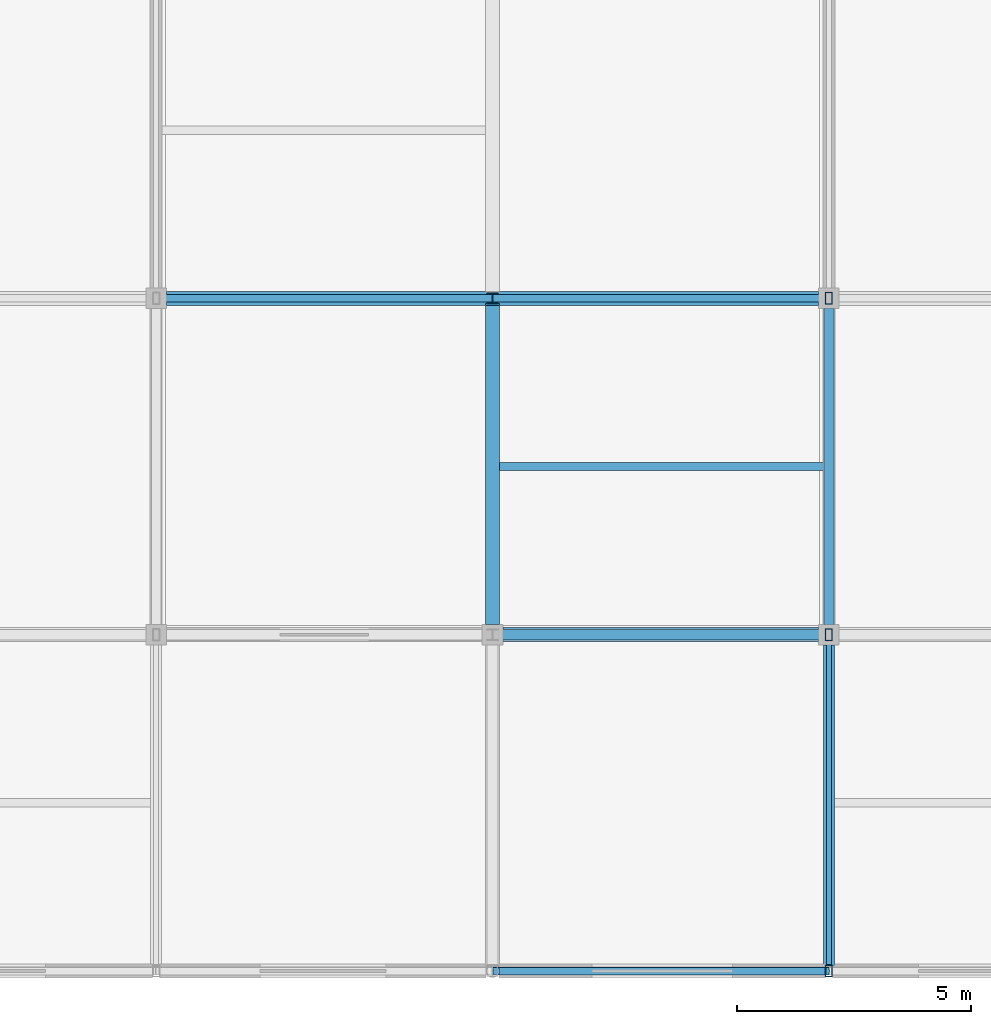
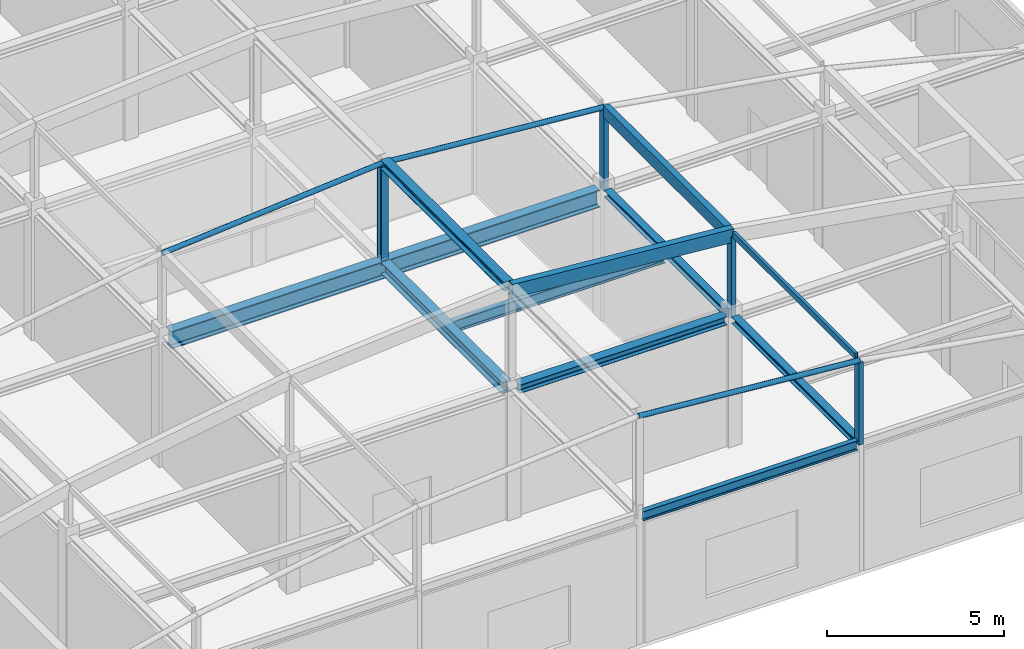
# One storey, part 8 of 23: 10 members, 8 beams.
"""IFC4 building model written with IfcOpenShell, lengths in metres."""

from ifc_helpers import new_model, si_unit, direction, frame, origin, origin_2d, place, context, subcontext, project, spatial, rectangle, hollow_rectangle, hollow_circle, i_section, extrude, material, material_profile, profile_set, type_object, element, save


model = new_model("IFC4")

# Units and contexts
model_context = context("Model", 3, precision=1e-05, world=origin(), true_north=direction((0.0, 1.0)))
body_context = subcontext(model_context, "Body", "Model", "MODEL_VIEW")
ifc_project = project(units=[si_unit("LENGTHUNIT", "METRE"), si_unit("AREAUNIT", "SQUARE_METRE"), si_unit("VOLUMEUNIT", "CUBIC_METRE"), si_unit("PLANEANGLEUNIT", "RADIAN"), si_unit("MASSUNIT", "GRAM", prefix="KILO")], contexts=[model_context])

# Site, building, storey
site_placement = place(None, origin())
site = spatial("IfcSite", under=ifc_project, at=site_placement, CompositionType="ELEMENT")
building_placement = place(site_placement, origin())
building = spatial("IfcBuilding", under=site, at=building_placement, Name="Cendaluz Park School", CompositionType="ELEMENT")
storey_placement = place(building_placement, frame((0.0, 0.0, 67.199951171875)))
storey = spatial("IfcBuildingStorey", under=building, at=storey_placement, Name="L16", CompositionType="ELEMENT", Elevation=67.199951171875)

# Beams
ifc_material_1 = material(Name="Steel S355", Category="steel")
ifc_material_profile_1 = material_profile(ifc_material_1, i_section(OverallWidth=0.300048828125, OverallDepth=0.39990234375, WebThickness=0.013916015625, FlangeThickness=0.02392578125, FilletRadius=0.027099609375, at=origin_2d()), Name="HEB 400", Category="steel")
ifc_profile_set_1 = profile_set([ifc_material_profile_1], Name="Steel S355")
beam_type_1 = type_object("IfcBeamType", Name="BM-ST02", PredefinedType="BEAM", material=ifc_profile_set_1)
beam_1_placement = place(storey_placement, frame((86.39990234375, 21.820068359375, 4.2900390625), z_axis=(0.0, 1.0, 0.0), x_axis=(-1.0, 0.0, 0.0)))
element("IfcBeam", 1, at=beam_1_placement, inside=storey, type_object=beam_type_1, Name="BM-L16-BMST02-0078", PredefinedType="BEAM", context=body_context, shape_type="SweptSolid", body=[
    extrude(i_section(OverallWidth=0.300048828125, OverallDepth=0.39990234375, WebThickness=0.013916015625, FlangeThickness=0.02392578125, FilletRadius=0.027099609375, at=origin_2d()), origin(), (0.0, 0.0, 1.0), 6.829833984375),
])
ifc_material_profile_2 = material_profile(ifc_material_1, i_section(OverallWidth=0.300048828125, OverallDepth=0.300048828125, WebThickness=0.010986328125, FlangeThickness=0.01904296875, FilletRadius=0.027099609375, at=origin_2d()), Name="HEB 300", Category="steel")
ifc_profile_set_2 = profile_set([ifc_material_profile_2], Name="Steel S355")
beam_type_2 = type_object("IfcBeamType", Name="BM-ST03", PredefinedType="BEAM", material=ifc_profile_set_2)
beam_2_placement = place(storey_placement, frame((86.39990234375, 21.7099609375, 7.85009765625), z_axis=(0.0, 1.0, 0.0), x_axis=(-1.0, 0.0, 0.0)))
element("IfcBeam", 2, at=beam_2_placement, inside=storey, type_object=beam_type_2, Name="BM-L16-BMST03-0090", PredefinedType="BEAM", context=body_context, shape_type="SweptSolid", body=[
    extrude(i_section(OverallWidth=0.300048828125, OverallDepth=0.300048828125, WebThickness=0.010986328125, FlangeThickness=0.01904296875, FilletRadius=0.027099609375, at=origin_2d()), origin(), (0.0, 0.0, 1.0), 6.97998046875),
])
ifc_material_profile_3 = material_profile(ifc_material_1, i_section(OverallWidth=0.300048828125, OverallDepth=0.2900390625, WebThickness=0.009033203125, FlangeThickness=0.013916015625, FilletRadius=0.027099609375, at=origin_2d()), Name="HEA 300", Category="steel")
ifc_profile_set_3 = profile_set([ifc_material_profile_3], Name="Steel S355")
beam_type_3 = type_object("IfcBeamType", Name="BM-ST05", PredefinedType="BEAM", material=ifc_profile_set_3)
beam_3_placement = place(storey_placement, frame((86.6201171875, 21.60009765625, 4.344970703125), z_axis=(1.0, 0.0, 0.0), x_axis=(0.0, 1.0, 0.0)))
element("IfcBeam", 3, at=beam_3_placement, inside=storey, type_object=beam_type_3, Name="BM-L16-BMST05-0020", PredefinedType="BEAM", context=body_context, shape_type="SweptSolid", body=[
    extrude(i_section(OverallWidth=0.300048828125, OverallDepth=0.2900390625, WebThickness=0.009033203125, FlangeThickness=0.013916015625, FilletRadius=0.027099609375, at=origin_2d()), origin(), (0.0, 0.0, 1.0), 6.759765625),
])
ifc_material_profile_4 = material_profile(ifc_material_1, i_section(OverallWidth=0.239990234375, OverallDepth=0.22998046875, WebThickness=0.008056640625, FlangeThickness=0.011962890625, FilletRadius=0.02099609375, at=origin_2d()), Name="HEA 240", Category="steel")
ifc_profile_set_4 = profile_set([ifc_material_profile_4], Name="Steel S355")
beam_type_4 = type_object("IfcBeamType", Name="BM-ST06", PredefinedType="BEAM", material=ifc_profile_set_4)
beam_4_placement = place(storey_placement, frame((93.60009765625, 14.52490234375, 4.375), z_axis=(0.0, 1.0, 0.0), x_axis=(-1.0, 0.0, 0.0)))
element("IfcBeam", 4, at=beam_4_placement, inside=storey, type_object=beam_type_4, Name="BM-L16-BMST06-0059", PredefinedType="BEAM", context=body_context, shape_type="SweptSolid", body=[
    extrude(i_section(OverallWidth=0.239990234375, OverallDepth=0.22998046875, WebThickness=0.008056640625, FlangeThickness=0.011962890625, FilletRadius=0.02099609375, at=origin_2d()), origin(), (0.0, 0.0, 1.0), 6.85498046875),
])
beam_5_placement = place(storey_placement, frame((93.60009765625, 21.820068359375, 4.375), z_axis=(0.0, 1.0, 0.0), x_axis=(-1.0, 0.0, 0.0)))
element("IfcBeam", 5, at=beam_5_placement, inside=storey, type_object=beam_type_4, Name="BM-L16-BMST06-0060", PredefinedType="BEAM", context=body_context, shape_type="SweptSolid", body=[
    extrude(i_section(OverallWidth=0.239990234375, OverallDepth=0.22998046875, WebThickness=0.008056640625, FlangeThickness=0.011962890625, FilletRadius=0.02099609375, at=origin_2d()), origin(), (0.0, 0.0, 1.0), 6.760009765625),
])
ifc_material_profile_5 = material_profile(ifc_material_1, i_section(OverallWidth=0.179931640625, OverallDepth=0.39990234375, WebThickness=0.009033203125, FlangeThickness=0.013916015625, FilletRadius=0.02099609375, at=origin_2d()), Name="IPE 400", Category="steel")
ifc_profile_set_5 = profile_set([ifc_material_profile_5], Name="Steel S355")
beam_type_5 = type_object("IfcBeamType", Name="BM-ST07", PredefinedType="BEAM", material=ifc_profile_set_5)
beam_6_placement = place(storey_placement, frame((86.550048828125, 25.199951171875, 4.2900390625), z_axis=(1.0, 0.0, 0.0), x_axis=(0.0, 1.0, 0.0)))
element("IfcBeam", 6, at=beam_6_placement, inside=storey, type_object=beam_type_5, Name="BM-L16-BMST07-0084", PredefinedType="BEAM", context=body_context, shape_type="SweptSolid", body=[
    extrude(i_section(OverallWidth=0.179931640625, OverallDepth=0.39990234375, WebThickness=0.009033203125, FlangeThickness=0.013916015625, FilletRadius=0.02099609375, at=origin_2d()), origin(), (0.0, 0.0, 1.0), 6.929931640625),
])
ifc_material_profile_6 = material_profile(ifc_material_1, i_section(OverallWidth=0.159912109375, OverallDepth=0.330078125, WebThickness=0.008056640625, FlangeThickness=0.011962890625, FilletRadius=0.01806640625, at=origin_2d()), Name="IPE 330", Category="steel")
ifc_profile_set_6 = profile_set([ifc_material_profile_6], Name="Steel S355")
beam_type_6 = type_object("IfcBeamType", Name="BM-ST08", PredefinedType="LINTEL", material=ifc_profile_set_6)
beam_7_placement = place(storey_placement, frame((86.53662109375, 14.39990234375, 4.324951171875), z_axis=(1.0, 0.0, 0.0), x_axis=(0.0, 1.0, 0.0)))
element("IfcBeam", 7, at=beam_7_placement, inside=storey, type_object=beam_type_6, Name="BM-L16-BMST08-0019", PredefinedType="LINTEL", context=body_context, shape_type="SweptSolid", body=[
    extrude(i_section(OverallWidth=0.159912109375, OverallDepth=0.330078125, WebThickness=0.008056640625, FlangeThickness=0.011962890625, FilletRadius=0.01806640625, at=origin_2d()), origin(), (0.0, 0.0, 1.0), 6.98828125),
])
ifc_material_profile_7 = material_profile(ifc_material_1, i_section(OverallWidth=0.300048828125, OverallDepth=0.60009765625, WebThickness=0.01611328125, FlangeThickness=0.030029296875, FilletRadius=0.027099609375, at=origin_2d()), Name="HEB 600", Category="steel")
ifc_profile_set_7 = profile_set([ifc_material_profile_7], Name="Steel S355")
beam_type_7 = type_object("IfcBeamType", Name="BM-ST10", PredefinedType="BEAM", material=ifc_profile_set_7)
beam_8_placement = place(storey_placement, frame((79.419921875, 28.800048828125, 4.18994140625), z_axis=(1.0, 0.0, 0.0), x_axis=(0.0, 1.0, 0.0)))
element("IfcBeam", 8, at=beam_8_placement, inside=storey, type_object=beam_type_7, Name="BM-L16-BMST10-0077", PredefinedType="BEAM", context=body_context, shape_type="SweptSolid", body=[
    extrude(i_section(OverallWidth=0.300048828125, OverallDepth=0.60009765625, WebThickness=0.01611328125, FlangeThickness=0.030029296875, FilletRadius=0.027099609375, at=origin_2d()), origin(), (0.0, 0.0, 1.0), 13.9599609375),
])

# Members
ifc_material_profile_8 = material_profile(ifc_material_1, hollow_circle(Radius=0.083984375, WallThickness=0.008056640625, at=origin_2d()), Name="CHS 168x8", Category="steel")
ifc_profile_set_8 = profile_set([ifc_material_profile_8], Name="Steel S355")
member_type_1 = type_object("IfcMemberType", Name="MB-CH02", PredefinedType="CHORD", material=ifc_profile_set_8)
member_1_placement = place(storey_placement, frame((86.39990234375, 14.39990234375, 7.780029296875), z_axis=(0.996544826035, 0.0, -0.083056665618), x_axis=(0.0, 1.0, 0.0)))
element("IfcMember", 9, at=member_1_placement, inside=storey, type_object=member_type_1, Name="MB-L16-MBCH02-0009", PredefinedType="CHORD", context=body_context, shape_type="SweptSolid", body=[
    extrude(hollow_circle(Radius=0.083984375, WallThickness=0.008056640625, at=origin_2d()), origin(), (0.0, 0.0, 1.0), 7.22509765625),
])
member_2_placement = place(storey_placement, frame((79.199951171875, 28.800048828125, 7.179931640625), z_axis=(0.996544592923, 0.0, 0.083059462528), x_axis=(0.0, 1.0, 0.0)))
element("IfcMember", 10, at=member_2_placement, inside=storey, type_object=member_type_1, Name="MB-L16-MBCH02-0030", PredefinedType="CHORD", context=body_context, shape_type="SweptSolid", body=[
    extrude(hollow_circle(Radius=0.083984375, WallThickness=0.008056640625, at=origin_2d()), origin(), (0.0, 0.0, 1.0), 7.224853515625),
])
member_3_placement = place(storey_placement, frame((86.39990234375, 28.800048828125, 7.780029296875), z_axis=(0.996544826035, 0.0, -0.083056665618), x_axis=(0.0, 1.0, 0.0)))
element("IfcMember", 11, at=member_3_placement, inside=storey, type_object=member_type_1, Name="MB-L16-MBCH02-0031", PredefinedType="CHORD", context=body_context, shape_type="SweptSolid", body=[
    extrude(hollow_circle(Radius=0.083984375, WallThickness=0.008056640625, at=origin_2d()), origin(), (0.0, 0.0, 1.0), 7.22509765625),
])
ifc_material_2 = material(Name="Glulam GL28h", Category="wood")
ifc_material_profile_9 = material_profile(ifc_material_2, rectangle(XDim=0.219970703125, YDim=0.4599609375, at=origin_2d()), Name="GL28h 220x460", Category="wood")
ifc_profile_set_9 = profile_set([ifc_material_profile_9], Name="Glulam GL28h")
member_type_2 = type_object("IfcMemberType", Name="MB-CH03", PredefinedType="CHORD", material=ifc_profile_set_9)
member_4_placement = place(storey_placement, frame((86.39990234375, 21.60009765625, 7.780029296875), z_axis=(0.996544826035, 0.0, -0.083056665618), x_axis=(0.0, 1.0, 0.0)))
element("IfcMember", 12, at=member_4_placement, inside=storey, type_object=member_type_2, Name="MB-L16-MBCH03-0020", PredefinedType="CHORD", context=body_context, shape_type="SweptSolid", body=[
    extrude(rectangle(XDim=0.219970703125, YDim=0.4599609375, at=origin_2d()), origin(), (0.0, 0.0, 1.0), 7.22509765625),
])
ifc_material_profile_10 = material_profile(ifc_material_1, hollow_rectangle(XDim=0.10009765625, YDim=0.199951171875, WallThickness=0.008056640625, at=origin_2d()), Name="RHS 200x100x8", Category="steel")
ifc_profile_set_10 = profile_set([ifc_material_profile_10], Name="Steel S355")
member_type_3 = type_object("IfcMemberType", Name="MB-PR03", PredefinedType="PURLIN", material=ifc_profile_set_10)
member_5_placement = place(storey_placement, frame((93.60009765625, 14.5400390625, 7.25), z_axis=(0.0, 1.0, 0.0), x_axis=(-1.0, 0.0, 0.0)))
element("IfcMember", 13, at=member_5_placement, inside=storey, type_object=member_type_3, Name="MB-L16-MBPR03-0080", PredefinedType="PURLIN", context=body_context, shape_type="SweptSolid", body=[
    extrude(hollow_rectangle(XDim=0.10009765625, YDim=0.199951171875, WallThickness=0.008056640625, at=origin_2d()), origin(), (0.0, 0.0, 1.0), 6.919921875),
])
ifc_material_profile_11 = material_profile(ifc_material_2, rectangle(XDim=0.199951171875, YDim=0.419921875, at=origin_2d()), Name="GL28h 200x420", Category="wood")
ifc_profile_set_11 = profile_set([ifc_material_profile_11], Name="Glulam GL28h")
member_type_4 = type_object("IfcMemberType", Name="MB-PR04", PredefinedType="PURLIN", material=ifc_profile_set_11)
member_6_placement = place(storey_placement, frame((93.60009765625, 21.739990234375, 7.14013671875), z_axis=(0.0, 1.0, 0.0), x_axis=(-1.0, 0.0, 0.0)))
element("IfcMember", 14, at=member_6_placement, inside=storey, type_object=member_type_4, Name="MB-L16-MBPR04-0084", PredefinedType="PURLIN", context=body_context, shape_type="SweptSolid", body=[
    extrude(rectangle(XDim=0.199951171875, YDim=0.419921875, at=origin_2d()), origin(), (0.0, 0.0, 1.0), 6.919921875),
])
ifc_material_profile_12 = material_profile(ifc_material_1, i_section(OverallWidth=0.239990234375, OverallDepth=0.22998046875, WebThickness=0.008056640625, FlangeThickness=0.011962890625, FilletRadius=0.02099609375, at=origin_2d()), Name="HEA 240", Category="steel")
ifc_profile_set_12 = profile_set([ifc_material_profile_12], Name="Steel S355")
member_type_5 = type_object("IfcMemberType", Name="MST-01", PredefinedType="STRUT", material=ifc_profile_set_12)
member_7_placement = place(storey_placement, frame((86.39990234375, 28.800048828125, 4.35009765625), z_axis=(0.0, 0.0, 1.0), x_axis=(1.0, 0.0, 0.0)))
element("IfcMember", 15, at=member_7_placement, inside=storey, type_object=member_type_5, Name="MB-L16-MBST01-0023", PredefinedType="STRUT", context=body_context, shape_type="SweptSolid", body=[
    extrude(i_section(OverallWidth=0.239990234375, OverallDepth=0.22998046875, WebThickness=0.008056640625, FlangeThickness=0.011962890625, FilletRadius=0.02099609375, at=origin_2d()), origin(), (0.0, 0.0, 1.0), 3.429931640625),
])
ifc_material_profile_13 = material_profile(ifc_material_1, hollow_rectangle(XDim=0.14990234375, YDim=0.25, WallThickness=0.010009765625, at=origin_2d()), Name="RHS 250x150x10", Category="steel")
ifc_profile_set_13 = profile_set([ifc_material_profile_13], Name="Steel S355")
member_type_6 = type_object("IfcMemberType", Name="MST-02", PredefinedType="STRUT", material=ifc_profile_set_13)
for number, where, z_axis, x_axis, name in (
    (16, (93.60009765625, 14.39990234375, 4.35009765625), (0.0, 0.0, 1.0), (1.0, 0.0, 0.0), "MB-L16-MBST02-0004"),
    (17, (93.60009765625, 21.60009765625, 4.35009765625), (0.0, 0.0, 1.0), (1.0, 0.0, 0.0), "MB-L16-MBST02-0015"),
    (18, (93.60009765625, 28.800048828125, 4.35009765625), (0.0, 0.0, 1.0), (1.0, 0.0, 0.0), "MB-L16-MBST02-0026"),
):
    element("IfcMember", number, at=place(storey_placement, frame(where, z_axis=z_axis, x_axis=x_axis)), inside=storey, type_object=member_type_6, Name=name, PredefinedType="STRUT", context=body_context, shape_type="SweptSolid", body=[
        extrude(hollow_rectangle(XDim=0.14990234375, YDim=0.25, WallThickness=0.010009765625, at=origin_2d()), origin(), (0.0, 0.0, 1.0), 2.829833984375),
    ])

save(model, "model.ifc")
